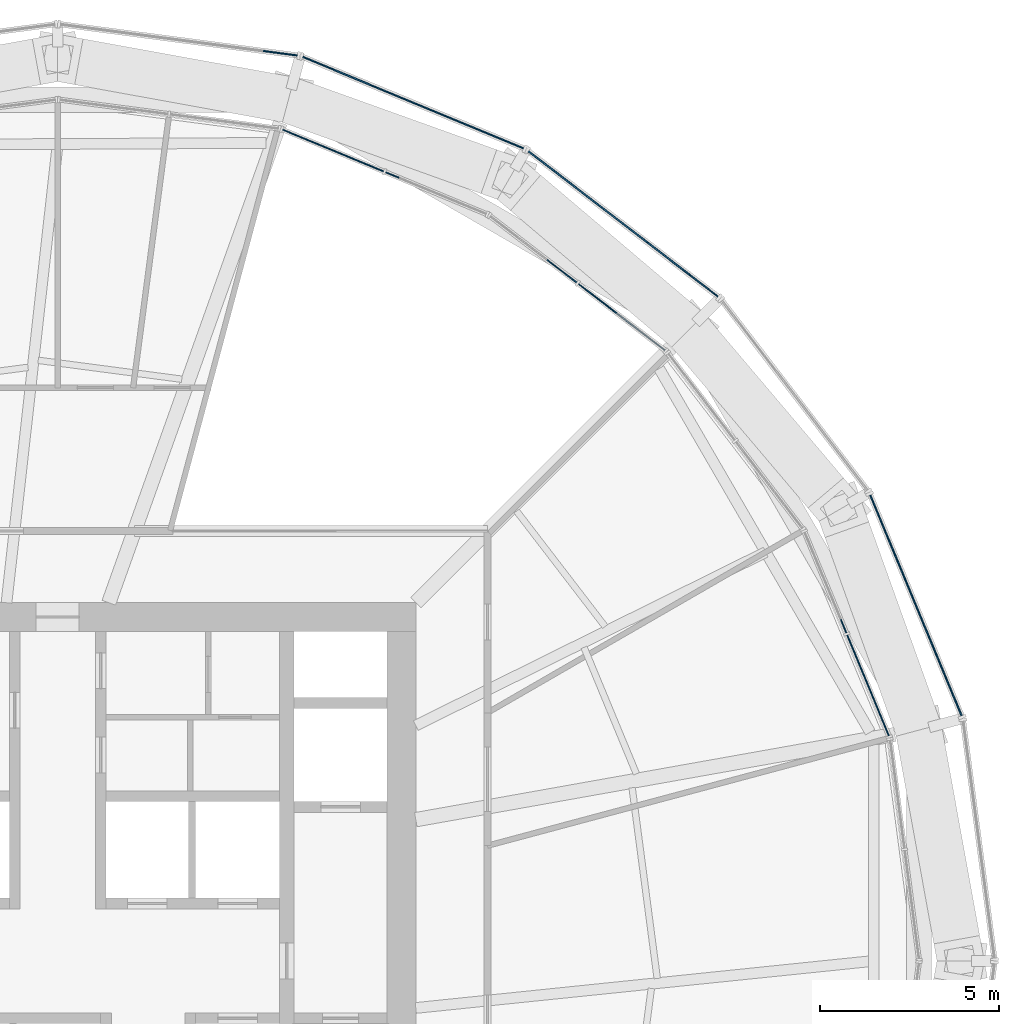
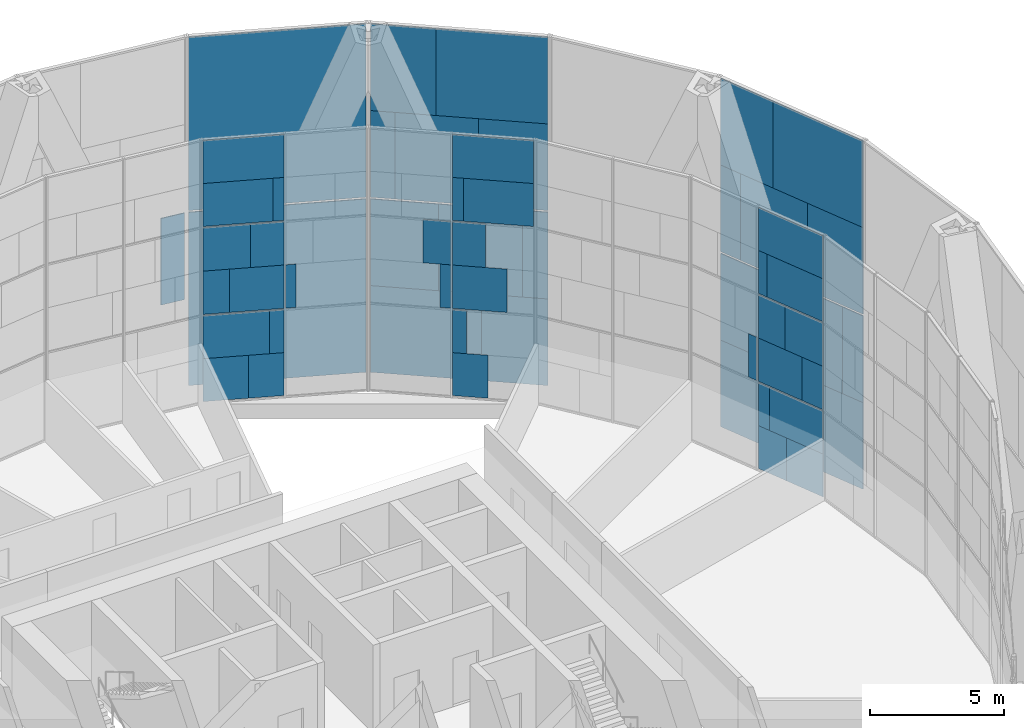
# One storey, part 22 of 26: 56 plates, 7 elements without a shape of their own.
"""IFC4 building model written with IfcOpenShell, lengths in metres."""

from ifc_helpers import new_model, si_unit, direction, frame, origin, origin_2d, place, context, subcontext, project, spatial, rectangle, extrude, material, layer, layer_set, type_object, element, aggregate, save


model = new_model("IFC4")

# Units and contexts
model_context = context("Model", 3, precision=1e-05, world=origin(), true_north=direction((0.0, 1.0)))
body_context = subcontext(model_context, "Body", "Model", "MODEL_VIEW")
ifc_project = project(units=[si_unit("LENGTHUNIT", "METRE"), si_unit("AREAUNIT", "SQUARE_METRE"), si_unit("VOLUMEUNIT", "CUBIC_METRE"), si_unit("PLANEANGLEUNIT", "RADIAN"), si_unit("MASSUNIT", "GRAM", prefix="KILO")], contexts=[model_context])

# Site, building, storey
site_placement = place(None, origin())
site = spatial("IfcSite", under=ifc_project, at=site_placement, CompositionType="ELEMENT")
building_placement = place(site_placement, origin())
building = spatial("IfcBuilding", under=site, at=building_placement, Name="Golbaran Civic Tower", CompositionType="ELEMENT")
storey_placement = place(building_placement, frame((0.0, 0.0, 69.0)))
storey = spatial("IfcBuildingStorey", under=building, at=storey_placement, Name="L16", CompositionType="ELEMENT", Elevation=69.0)

# Curtain wall, plates
ifc_material_1 = material(Name="Aluminium and glass", Category="aluminium")
curtain_wall_type_1 = type_object("IfcCurtainWallType", Name="INNER SKIN CURTAIN WALL", PredefinedType="NOTDEFINED", material=ifc_material_1)
curtain_wall_1_placement = place(storey_placement, origin())
curtain_wall_1 = element("IfcCurtainWall", 1, at=curtain_wall_1_placement, inside=storey, type_object=curtain_wall_type_1, Name="Inner skin L16 facet 2 CW1", ObjectType="INNER SKIN", PredefinedType="USERDEFINED")
ifc_material_2 = material(Name="Clear insulating glass", Category="glass")
ifc_layer_1 = layer(ifc_material_2, 0.031982421875, Name="Clear insulating glass")
ifc_layer_set_1 = layer_set([ifc_layer_1], Name="Clear insulating glass")
plate_type_1 = type_object("IfcPlateType", Name="INNER SKIN CURTAIN WALL GLAZED PANEL", PredefinedType="CURTAIN_PANEL", material=ifc_layer_set_1)
plate_1_placement = place(storey_placement, frame((22.298583984375, 8.48193359375, 0.06494140625), z_axis=(0.0, 0.0, 1.0), x_axis=(-0.382683432446, 0.923879532478, 0.0)))
plate_1 = element("IfcPlate", 2, at=plate_1_placement, type_object=plate_type_1, Name="CW1 panel 1.1 part 2", PredefinedType="CURTAIN_PANEL", context=body_context, shape_type="SweptSolid", body=[
    extrude(rectangle(XDim=1.3291015625, YDim=0.031982421875, at=origin_2d()), origin(), (0.0, 0.0, 1.0), 1.951171875),
])
plate_2_placement = place(storey_placement, frame((22.14599609375, 8.8505859375, 2.016357421875), z_axis=(0.0, 0.0, 1.0), x_axis=(-0.382683432446, 0.923879532478, 0.0)))
plate_2 = element("IfcPlate", 3, at=plate_2_placement, type_object=plate_type_1, Name="CW1 panel 1.1 part 4", PredefinedType="CURTAIN_PANEL", context=body_context, shape_type="SweptSolid", body=[
    extrude(rectangle(XDim=0.531005859375, YDim=0.031982421875, at=origin_2d()), origin(), (0.0, 0.0, 1.0), 1.951171875),
])
plate_3_placement = place(storey_placement, frame((23.018798828125, 6.74365234375, 4.03271484375), z_axis=(0.0, 0.0, 1.0), x_axis=(-0.382683432446, 0.923879532478, 0.0)))
plate_3 = element("IfcPlate", 4, at=plate_3_placement, type_object=plate_type_1, Name="CW1 panel 1.2 part 1", PredefinedType="CURTAIN_PANEL", context=body_context, shape_type="SweptSolid", body=[
    extrude(rectangle(XDim=0.991943359375, YDim=0.031982421875, at=origin_2d()), origin(), (0.0, 0.0, 1.0), 1.967529296875),
])
plate_4_placement = place(storey_placement, frame((22.8642578125, 7.116455078125, 6.0), z_axis=(0.0, 0.0, 1.0), x_axis=(-0.382683432446, 0.923879532478, 0.0)))
plate_4 = element("IfcPlate", 5, at=plate_4_placement, type_object=plate_type_1, Name="CW1 panel 1.2 part 3", PredefinedType="CURTAIN_PANEL", context=body_context, shape_type="SweptSolid", body=[
    extrude(rectangle(XDim=1.799072265625, YDim=0.031982421875, at=origin_2d()), origin(), (0.0, 0.0, 1.0), 1.967529296875),
])
plate_5_placement = place(storey_placement, frame((22.705078125, 7.500732421875, 8.032470703125), z_axis=(0.0, 0.0, 1.0), x_axis=(-0.382683432446, 0.923879532478, 0.0)))
plate_5 = element("IfcPlate", 6, at=plate_5_placement, type_object=plate_type_1, Name="CW1 panel 1.3 part 1", PredefinedType="CURTAIN_PANEL", context=body_context, shape_type="SweptSolid", body=[
    extrude(rectangle(XDim=2.631103515625, YDim=0.031982421875, at=origin_2d()), origin(), (0.0, 0.0, 1.0), 1.951171875),
])
plate_6_placement = place(storey_placement, frame((22.62646484375, 7.690673828125, 9.98388671875), z_axis=(0.0, 0.0, 1.0), x_axis=(-0.382683432446, 0.923879532478, 0.0)))
plate_6 = element("IfcPlate", 7, at=plate_6_placement, type_object=plate_type_1, Name="CW1 panel 1.3 part 3", PredefinedType="CURTAIN_PANEL", context=body_context, shape_type="SweptSolid", body=[
    extrude(rectangle(XDim=3.0419921875, YDim=0.031982421875, at=origin_2d()), origin(), (0.0, 0.0, 1.0), 1.951171875),
])

curtain_wall_2_placement = place(storey_placement, origin())
curtain_wall_2 = element("IfcCurtainWall", 8, at=curtain_wall_2_placement, inside=storey, type_object=curtain_wall_type_1, Name="Inner skin L16 facet 4 CW1", ObjectType="INNER SKIN", PredefinedType="USERDEFINED")
plate_7_placement = place(storey_placement, frame((15.0703125, 18.494873046875, 0.06494140625), z_axis=(0.0, 0.0, 1.0), x_axis=(-0.793353340323, 0.608761428967, 0.0)))
plate_7 = element("IfcPlate", 9, at=plate_7_placement, type_object=plate_type_1, Name="CW1 panel 1.1 part 2", PredefinedType="CURTAIN_PANEL", context=body_context, shape_type="SweptSolid", body=[
    extrude(rectangle(XDim=1.3291015625, YDim=0.031982421875, at=origin_2d()), origin(), (0.0, 0.0, 1.0), 1.951171875),
])
plate_8_placement = place(storey_placement, frame((14.753662109375, 18.73779296875, 2.016357421875), z_axis=(0.0, 0.0, 1.0), x_axis=(-0.793353340323, 0.608761428967, 0.0)))
plate_8 = element("IfcPlate", 10, at=plate_8_placement, type_object=plate_type_1, Name="CW1 panel 1.1 part 4", PredefinedType="CURTAIN_PANEL", context=body_context, shape_type="SweptSolid", body=[
    extrude(rectangle(XDim=0.531005859375, YDim=0.031982421875, at=origin_2d()), origin(), (0.0, 0.0, 1.0), 1.951171875),
])
plate_9_placement = place(storey_placement, frame((15.912841796875, 17.848388671875, 8.032470703125), z_axis=(0.0, 0.0, 1.0), x_axis=(-0.793353340323, 0.608761428967, 0.0)))
plate_9 = element("IfcPlate", 11, at=plate_9_placement, type_object=plate_type_1, Name="CW1 panel 1.3 part 1", PredefinedType="CURTAIN_PANEL", context=body_context, shape_type="SweptSolid", body=[
    extrude(rectangle(XDim=2.631103515625, YDim=0.031982421875, at=origin_2d()), origin(), (0.0, 0.0, 1.0), 1.951171875),
])
plate_10_placement = place(storey_placement, frame((15.749755859375, 17.9736328125, 9.98388671875), z_axis=(0.0, 0.0, 1.0), x_axis=(-0.793353340323, 0.608761428967, 0.0)))
plate_10 = element("IfcPlate", 12, at=plate_10_placement, type_object=plate_type_1, Name="CW1 panel 1.3 part 3", PredefinedType="CURTAIN_PANEL", context=body_context, shape_type="SweptSolid", body=[
    extrude(rectangle(XDim=3.0419921875, YDim=0.031982421875, at=origin_2d()), origin(), (0.0, 0.0, 1.0), 1.951171875),
])

curtain_wall_3_placement = place(storey_placement, origin())
curtain_wall_3 = element("IfcCurtainWall", 13, at=curtain_wall_3_placement, inside=storey, type_object=curtain_wall_type_1, Name="Inner skin L16 facet 5 CW1", ObjectType="INNER SKIN", PredefinedType="USERDEFINED")
plate_11_placement = place(storey_placement, frame((8.48193359375, 22.298583984375, 0.06494140625), z_axis=(0.0, 0.0, 1.0), x_axis=(-0.923879532478, 0.382683432446, 0.0)))
plate_11 = element("IfcPlate", 14, at=plate_11_placement, type_object=plate_type_1, Name="CW1 panel 2.1 part 1", PredefinedType="CURTAIN_PANEL", context=body_context, shape_type="SweptSolid", body=[
    extrude(rectangle(XDim=1.3291015625, YDim=0.031982421875, at=origin_2d()), origin(), (0.0, 0.0, 1.0), 1.951171875),
])
plate_12_placement = place(storey_placement, frame((8.8505859375, 22.14599609375, 2.016357421875), z_axis=(0.0, 0.0, 1.0), x_axis=(-0.923879532478, 0.382683432446, 0.0)))
plate_12 = element("IfcPlate", 15, at=plate_12_placement, type_object=plate_type_1, Name="CW1 panel 2.1 part 3", PredefinedType="CURTAIN_PANEL", context=body_context, shape_type="SweptSolid", body=[
    extrude(rectangle(XDim=0.531005859375, YDim=0.031982421875, at=origin_2d()), origin(), (0.0, 0.0, 1.0), 1.951171875),
])
plate_13_placement = place(storey_placement, frame((6.74365234375, 23.018798828125, 4.03271484375), z_axis=(0.0, 0.0, 1.0), x_axis=(-0.923879532478, 0.382683432446, 0.0)))
plate_13 = element("IfcPlate", 16, at=plate_13_placement, type_object=plate_type_1, Name="CW1 panel 2.2 part 2", PredefinedType="CURTAIN_PANEL", context=body_context, shape_type="SweptSolid", body=[
    extrude(rectangle(XDim=0.991943359375, YDim=0.031982421875, at=origin_2d()), origin(), (0.0, 0.0, 1.0), 1.967529296875),
])
plate_14_placement = place(storey_placement, frame((7.115966796875, 22.864501953125, 6.0), z_axis=(0.0, 0.0, 1.0), x_axis=(-0.923879532478, 0.382683432446, 0.0)))
plate_14 = element("IfcPlate", 17, at=plate_14_placement, type_object=plate_type_1, Name="CW1 panel 2.2 part 4", PredefinedType="CURTAIN_PANEL", context=body_context, shape_type="SweptSolid", body=[
    extrude(rectangle(XDim=1.798095703125, YDim=0.031982421875, at=origin_2d()), origin(), (0.0, 0.0, 1.0), 1.967529296875),
])
plate_15_placement = place(storey_placement, frame((7.500732421875, 22.705078125, 8.032470703125), z_axis=(0.0, 0.0, 1.0), x_axis=(-0.923879532478, 0.382683432446, 0.0)))
plate_15 = element("IfcPlate", 18, at=plate_15_placement, type_object=plate_type_1, Name="CW1 panel 2.3 part 2", PredefinedType="CURTAIN_PANEL", context=body_context, shape_type="SweptSolid", body=[
    extrude(rectangle(XDim=2.631103515625, YDim=0.031982421875, at=origin_2d()), origin(), (0.0, 0.0, 1.0), 1.951171875),
])
plate_16_placement = place(storey_placement, frame((7.690673828125, 22.62646484375, 9.98388671875), z_axis=(0.0, 0.0, 1.0), x_axis=(-0.923879532478, 0.382683432446, 0.0)))
plate_16 = element("IfcPlate", 19, at=plate_16_placement, type_object=plate_type_1, Name="CW1 panel 2.3 part 3", PredefinedType="CURTAIN_PANEL", context=body_context, shape_type="SweptSolid", body=[
    extrude(rectangle(XDim=3.0419921875, YDim=0.031982421875, at=origin_2d()), origin(), (0.0, 0.0, 1.0), 1.951171875),
])

# Plate
ifc_material_3 = material(Name="Aluminium faced opaque infill panel", Category="aluminium")
ifc_layer_2 = layer(ifc_material_3, 0.031982421875, Name="Aluminium faced opaque infill panel")
ifc_layer_set_2 = layer_set([ifc_layer_2], Name="Aluminium faced opaque infill panel")
plate_type_2 = type_object("IfcPlateType", Name="INNER SKIN CURTAIN WALL OPAQUE INFILL PANEL", PredefinedType="CURTAIN_PANEL", material=ifc_layer_set_2)
plate_17_placement = place(storey_placement, frame((22.880859375, 7.07666015625, 0.06494140625), z_axis=(0.0, 0.0, 1.0), x_axis=(-0.382683432446, 0.923879532478, 0.0)))
plate_17 = element("IfcPlate", 20, at=plate_17_placement, type_object=plate_type_2, Name="CW1 infill panel 1.1 part 1", PredefinedType="CURTAIN_PANEL", context=body_context, shape_type="SweptSolid", body=[
    extrude(rectangle(XDim=1.712890625, YDim=0.031982421875, at=origin_2d()), origin(), (0.0, 0.0, 1.0), 1.951171875),
])

plate_18_placement = place(storey_placement, frame((22.72802734375, 7.4453125, 2.016357421875), z_axis=(0.0, 0.0, 1.0), x_axis=(-0.382683432446, 0.923879532478, 0.0)))
plate_18 = element("IfcPlate", 21, at=plate_18_placement, type_object=plate_type_2, Name="CW1 infill panel 1.1 part 3", PredefinedType="CURTAIN_PANEL", context=body_context, shape_type="SweptSolid", body=[
    extrude(rectangle(XDim=2.510986328125, YDim=0.031982421875, at=origin_2d()), origin(), (0.0, 0.0, 1.0), 1.951171875),
])

plate_19_placement = place(storey_placement, frame((22.436767578125, 8.14892578125, 4.03271484375), z_axis=(0.0, 0.0, 1.0), x_axis=(-0.382683432446, 0.923879532478, 0.0)))
plate_19 = element("IfcPlate", 22, at=plate_19_placement, type_object=plate_type_2, Name="CW1 infill panel 1.2 part 2", PredefinedType="CURTAIN_PANEL", context=body_context, shape_type="SweptSolid", body=[
    extrude(rectangle(XDim=2.050048828125, YDim=0.031982421875, at=origin_2d()), origin(), (0.0, 0.0, 1.0), 1.967529296875),
])

plate_20_placement = place(storey_placement, frame((22.2822265625, 8.521728515625, 6.0), z_axis=(0.0, 0.0, 1.0), x_axis=(-0.382683432446, 0.923879532478, 0.0)))
plate_20 = element("IfcPlate", 23, at=plate_20_placement, type_object=plate_type_2, Name="CW1 infill panel 1.2 part 4", PredefinedType="CURTAIN_PANEL", context=body_context, shape_type="SweptSolid", body=[
    extrude(rectangle(XDim=1.2431640625, YDim=0.031982421875, at=origin_2d()), origin(), (0.0, 0.0, 1.0), 1.967529296875),
])

plate_21_placement = place(storey_placement, frame((22.123046875, 8.906005859375, 8.032470703125), z_axis=(0.0, 0.0, 1.0), x_axis=(-0.382683432446, 0.923879532478, 0.0)))
plate_21 = element("IfcPlate", 24, at=plate_21_placement, type_object=plate_type_2, Name="CW1 infill panel 1.3 part 2", PredefinedType="CURTAIN_PANEL", context=body_context, shape_type="SweptSolid", body=[
    extrude(rectangle(XDim=0.4111328125, YDim=0.031982421875, at=origin_2d()), origin(), (0.0, 0.0, 1.0), 1.951171875),
])

plate_22_placement = place(storey_placement, frame((21.94287109375, 9.34130859375, 4.03271484375), z_axis=(0.0, 0.0, 1.0), x_axis=(-0.382683432446, 0.923879532478, 0.0)))
plate_22 = element("IfcPlate", 25, at=plate_22_placement, type_object=plate_type_2, Name="CW1 infill panel 2.2 part 1", PredefinedType="CURTAIN_PANEL", context=body_context, shape_type="SweptSolid", body=[
    extrude(rectangle(XDim=0.40087890625, YDim=0.031982421875, at=origin_2d()), origin(), (0.0, 0.0, 1.0), 1.967529296875),
])

aggregate(curtain_wall_1, [plate_17, plate_1, plate_18, plate_2, plate_3, plate_19, plate_4, plate_20, plate_5, plate_21, plate_6, plate_22])

plate_23_placement = place(storey_placement, frame((15.356201171875, 18.275390625, 4.03271484375), z_axis=(0.0, 0.0, 1.0), x_axis=(-0.793353340323, 0.608761428967, 0.0)))
plate_23 = element("IfcPlate", 26, at=plate_23_placement, type_object=plate_type_2, Name="CW1 infill panel 1.2 part 2", PredefinedType="CURTAIN_PANEL", context=body_context, shape_type="SweptSolid", body=[
    extrude(rectangle(XDim=2.050048828125, YDim=0.031982421875, at=origin_2d()), origin(), (0.0, 0.0, 1.0), 1.967529296875),
])

plate_24_placement = place(storey_placement, frame((15.0361328125, 18.521240234375, 6.0), z_axis=(0.0, 0.0, 1.0), x_axis=(-0.793353340323, 0.608761428967, 0.0)))
plate_24 = element("IfcPlate", 27, at=plate_24_placement, type_object=plate_type_2, Name="CW1 infill panel 1.2 part 4", PredefinedType="CURTAIN_PANEL", context=body_context, shape_type="SweptSolid", body=[
    extrude(rectangle(XDim=1.2431640625, YDim=0.031982421875, at=origin_2d()), origin(), (0.0, 0.0, 1.0), 1.967529296875),
])

plate_25_placement = place(storey_placement, frame((14.7060546875, 18.7744140625, 8.032470703125), z_axis=(0.0, 0.0, 1.0), x_axis=(-0.793353340323, 0.608761428967, 0.0)))
plate_25 = element("IfcPlate", 28, at=plate_25_placement, type_object=plate_type_2, Name="CW1 infill panel 1.3 part 2", PredefinedType="CURTAIN_PANEL", context=body_context, shape_type="SweptSolid", body=[
    extrude(rectangle(XDim=0.4111328125, YDim=0.031982421875, at=origin_2d()), origin(), (0.0, 0.0, 1.0), 1.951171875),
])

plate_26_placement = place(storey_placement, frame((14.33251953125, 19.06103515625, 4.03271484375), z_axis=(0.0, 0.0, 1.0), x_axis=(-0.793353340323, 0.608761428967, 0.0)))
plate_26 = element("IfcPlate", 29, at=plate_26_placement, type_object=plate_type_2, Name="CW1 infill panel 2.2 part 1", PredefinedType="CURTAIN_PANEL", context=body_context, shape_type="SweptSolid", body=[
    extrude(rectangle(XDim=0.40087890625, YDim=0.031982421875, at=origin_2d()), origin(), (0.0, 0.0, 1.0), 1.967529296875),
])

plate_27_placement = place(storey_placement, frame((14.079345703125, 19.25537109375, 6.0), z_axis=(0.0, 0.0, 1.0), x_axis=(-0.793353340323, 0.608761428967, 0.0)))
plate_27 = element("IfcPlate", 30, at=plate_27_placement, type_object=plate_type_2, Name="CW1 infill panel 2.2 part 3", PredefinedType="CURTAIN_PANEL", context=body_context, shape_type="SweptSolid", body=[
    extrude(rectangle(XDim=1.0390625, YDim=0.031982421875, at=origin_2d()), origin(), (0.0, 0.0, 1.0), 1.967529296875),
])

aggregate(curtain_wall_2, [plate_7, plate_8, plate_23, plate_24, plate_9, plate_25, plate_10, plate_26, plate_27])

plate_28_placement = place(storey_placement, frame((9.34130859375, 21.94287109375, 4.03271484375), z_axis=(0.0, 0.0, 1.0), x_axis=(-0.923879532478, 0.382683432446, 0.0)))
plate_28 = element("IfcPlate", 31, at=plate_28_placement, type_object=plate_type_2, Name="CW1 infill panel 1.2 part 2", PredefinedType="CURTAIN_PANEL", context=body_context, shape_type="SweptSolid", body=[
    extrude(rectangle(XDim=0.401123046875, YDim=0.031982421875, at=origin_2d()), origin(), (0.0, 0.0, 1.0), 1.967529296875),
])

plate_29_placement = place(storey_placement, frame((7.07666015625, 22.880859375, 0.06494140625), z_axis=(0.0, 0.0, 1.0), x_axis=(-0.923879532478, 0.382683432446, 0.0)))
plate_29 = element("IfcPlate", 32, at=plate_29_placement, type_object=plate_type_2, Name="CW1 infill panel 2.1 part 2", PredefinedType="CURTAIN_PANEL", context=body_context, shape_type="SweptSolid", body=[
    extrude(rectangle(XDim=1.713134765625, YDim=0.031982421875, at=origin_2d()), origin(), (0.0, 0.0, 1.0), 1.951171875),
])

plate_30_placement = place(storey_placement, frame((7.4453125, 22.72802734375, 2.016357421875), z_axis=(0.0, 0.0, 1.0), x_axis=(-0.923879532478, 0.382683432446, 0.0)))
plate_30 = element("IfcPlate", 33, at=plate_30_placement, type_object=plate_type_2, Name="CW1 infill panel 2.1 part 4", PredefinedType="CURTAIN_PANEL", context=body_context, shape_type="SweptSolid", body=[
    extrude(rectangle(XDim=2.510986328125, YDim=0.031982421875, at=origin_2d()), origin(), (0.0, 0.0, 1.0), 1.951171875),
])

plate_31_placement = place(storey_placement, frame((8.14892578125, 22.436767578125, 4.03271484375), z_axis=(0.0, 0.0, 1.0), x_axis=(-0.923879532478, 0.382683432446, 0.0)))
plate_31 = element("IfcPlate", 34, at=plate_31_placement, type_object=plate_type_2, Name="CW1 infill panel 2.2 part 1", PredefinedType="CURTAIN_PANEL", context=body_context, shape_type="SweptSolid", body=[
    extrude(rectangle(XDim=2.050048828125, YDim=0.031982421875, at=origin_2d()), origin(), (0.0, 0.0, 1.0), 1.967529296875),
])

plate_32_placement = place(storey_placement, frame((8.521240234375, 22.282470703125, 6.0), z_axis=(0.0, 0.0, 1.0), x_axis=(-0.923879532478, 0.382683432446, 0.0)))
plate_32 = element("IfcPlate", 35, at=plate_32_placement, type_object=plate_type_2, Name="CW1 infill panel 2.2 part 3", PredefinedType="CURTAIN_PANEL", context=body_context, shape_type="SweptSolid", body=[
    extrude(rectangle(XDim=1.243896484375, YDim=0.031982421875, at=origin_2d()), origin(), (0.0, 0.0, 1.0), 1.967529296875),
])

plate_33_placement = place(storey_placement, frame((8.906005859375, 22.123046875, 8.032470703125), z_axis=(0.0, 0.0, 1.0), x_axis=(-0.923879532478, 0.382683432446, 0.0)))
plate_33 = element("IfcPlate", 36, at=plate_33_placement, type_object=plate_type_2, Name="CW1 infill panel 2.3 part 1", PredefinedType="CURTAIN_PANEL", context=body_context, shape_type="SweptSolid", body=[
    extrude(rectangle(XDim=0.410888671875, YDim=0.031982421875, at=origin_2d()), origin(), (0.0, 0.0, 1.0), 1.951171875),
])

aggregate(curtain_wall_3, [plate_28, plate_11, plate_29, plate_12, plate_30, plate_31, plate_13, plate_32, plate_14, plate_33, plate_15, plate_16])

# Curtain wall, plates
curtain_wall_type_2 = type_object("IfcCurtainWallType", Name="OUTER SKIN TERRACOTTA SCREEN", PredefinedType="NOTDEFINED", material=ifc_material_1)
curtain_wall_4_placement = place(storey_placement, origin())
curtain_wall_4 = element("IfcCurtainWall", 37, at=curtain_wall_4_placement, inside=storey, type_object=curtain_wall_type_2, Name="Outer skin L16 facet 2 CW3", ObjectType="OUTER SKIN", PredefinedType="USERDEFINED")
ifc_material_4 = material(Name="Clear laminated glass", Category="glass")
ifc_layer_3 = layer(ifc_material_4, 0.0400390625, Name="Clear laminated glass")
ifc_layer_set_3 = layer_set([ifc_layer_3], Name="Clear laminated glass")
plate_type_3 = type_object("IfcPlateType", Name="OUTER SKIN CLEAR GLASS PANEL", PredefinedType="CURTAIN_PANEL", material=ifc_layer_set_3)
plate_34_placement = place(storey_placement, frame((23.48681640625, 11.074951171875, -0.6298828125), z_axis=(0.0, 0.0, 1.0), x_axis=(-0.382683432478, 0.923879532465, 0.0)))
plate_34 = element("IfcPlate", 38, at=plate_34_placement, type_object=plate_type_3, Name="CW3 panel 1.1 part 2", PredefinedType="CURTAIN_PANEL", context=body_context, shape_type="SweptSolid", body=[
    extrude(rectangle(XDim=4.181396484375, YDim=0.0400390625, at=origin_2d()), origin(), (0.0, 0.0, 1.0), 3.93994140625),
])
plate_35_placement = place(storey_placement, frame((25.05615234375, 7.2861328125, 3.31005859375), z_axis=(0.0, 0.0, 1.0), x_axis=(-0.382683432478, 0.923879532465, 0.0)))
plate_35 = element("IfcPlate", 39, at=plate_35_placement, type_object=plate_type_3, Name="CW3 panel 1.1 part 3", PredefinedType="CURTAIN_PANEL", context=body_context, shape_type="SweptSolid", body=[
    extrude(rectangle(XDim=0.955078125, YDim=0.0400390625, at=origin_2d()), origin(), (0.0, 0.0, 1.0), 3.93994140625),
])
plate_36_placement = place(storey_placement, frame((23.177978515625, 11.820556640625, 3.31005859375), z_axis=(0.0, 0.0, 1.0), x_axis=(-0.382683432478, 0.923879532465, 0.0)))
plate_36 = element("IfcPlate", 40, at=plate_36_placement, type_object=plate_type_3, Name="CW3 panel 1.1 part 5", PredefinedType="CURTAIN_PANEL", context=body_context, shape_type="SweptSolid", body=[
    extrude(rectangle(XDim=2.5673828125, YDim=0.0400390625, at=origin_2d()), origin(), (0.0, 0.0, 1.0), 3.93994140625),
])
plate_37_placement = place(storey_placement, frame((24.741943359375, 8.044921875, 7.330078125), z_axis=(0.0, 0.0, 1.0), x_axis=(-0.382683432478, 0.923879532465, 0.0)))
plate_37 = element("IfcPlate", 41, at=plate_37_placement, type_object=plate_type_3, Name="CW3 panel 1.2 part 1", PredefinedType="CURTAIN_PANEL", context=body_context, shape_type="SweptSolid", body=[
    extrude(rectangle(XDim=2.597900390625, YDim=0.0400390625, at=origin_2d()), origin(), (0.0, 0.0, 1.0), 3.93994140625),
])
plate_38_placement = place(storey_placement, frame((22.86279296875, 12.58154296875, 7.330078125), z_axis=(0.0, 0.0, 1.0), x_axis=(-0.382683432478, 0.923879532465, 0.0)))
plate_38 = element("IfcPlate", 42, at=plate_38_placement, type_object=plate_type_3, Name="CW3 panel 1.2 part 3", PredefinedType="CURTAIN_PANEL", context=body_context, shape_type="SweptSolid", body=[
    extrude(rectangle(XDim=0.92041015625, YDim=0.0400390625, at=origin_2d()), origin(), (0.0, 0.0, 1.0), 3.93994140625),
])
plate_39_placement = place(storey_placement, frame((24.43359375, 8.7890625, 11.27001953125), z_axis=(0.0, 0.0, 1.0), x_axis=(-0.382683432478, 0.923879532465, 0.0)))
plate_39 = element("IfcPlate", 43, at=plate_39_placement, type_object=plate_type_3, Name="CW3 panel 1.2 part 4", PredefinedType="CURTAIN_PANEL", context=body_context, shape_type="SweptSolid", body=[
    extrude(rectangle(XDim=4.208984375, YDim=0.0400390625, at=origin_2d()), origin(), (0.0, 0.0, 1.0), 3.93994140625),
])

curtain_wall_5_placement = place(storey_placement, origin())
curtain_wall_5 = element("IfcCurtainWall", 44, at=curtain_wall_5_placement, inside=storey, type_object=curtain_wall_type_2, Name="Outer skin L16 facet 4 CW3", ObjectType="OUTER SKIN", PredefinedType="USERDEFINED")
plate_40_placement = place(storey_placement, frame((14.802734375, 21.334716796875, -0.6298828125), z_axis=(0.0, 0.0, 1.0), x_axis=(-0.793353340366, 0.608761428912, 0.0)))
plate_40 = element("IfcPlate", 45, at=plate_40_placement, type_object=plate_type_3, Name="CW3 panel 1.1 part 2", PredefinedType="CURTAIN_PANEL", context=body_context, shape_type="SweptSolid", body=[
    extrude(rectangle(XDim=4.181396484375, YDim=0.0400390625, at=origin_2d()), origin(), (0.0, 0.0, 1.0), 3.93994140625),
])
plate_41_placement = place(storey_placement, frame((18.056396484375, 18.837890625, 3.31005859375), z_axis=(0.0, 0.0, 1.0), x_axis=(-0.793353340366, 0.608761428912, 0.0)))
plate_41 = element("IfcPlate", 46, at=plate_41_placement, type_object=plate_type_3, Name="CW3 panel 1.1 part 3", PredefinedType="CURTAIN_PANEL", context=body_context, shape_type="SweptSolid", body=[
    extrude(rectangle(XDim=0.955078125, YDim=0.0400390625, at=origin_2d()), origin(), (0.0, 0.0, 1.0), 3.93994140625),
])
plate_42_placement = place(storey_placement, frame((14.162353515625, 21.825927734375, 3.31005859375), z_axis=(0.0, 0.0, 1.0), x_axis=(-0.793353340366, 0.608761428912, 0.0)))
plate_42 = element("IfcPlate", 47, at=plate_42_placement, type_object=plate_type_3, Name="CW3 panel 1.1 part 5", PredefinedType="CURTAIN_PANEL", context=body_context, shape_type="SweptSolid", body=[
    extrude(rectangle(XDim=2.5673828125, YDim=0.0400390625, at=origin_2d()), origin(), (0.0, 0.0, 1.0), 3.93994140625),
])
plate_43_placement = place(storey_placement, frame((17.404541015625, 19.338134765625, 7.330078125), z_axis=(0.0, 0.0, 1.0), x_axis=(-0.793353340366, 0.608761428912, 0.0)))
plate_43 = element("IfcPlate", 48, at=plate_43_placement, type_object=plate_type_3, Name="CW3 panel 1.2 part 1", PredefinedType="CURTAIN_PANEL", context=body_context, shape_type="SweptSolid", body=[
    extrude(rectangle(XDim=2.597900390625, YDim=0.0400390625, at=origin_2d()), origin(), (0.0, 0.0, 1.0), 3.93994140625),
])
plate_44_placement = place(storey_placement, frame((13.509033203125, 22.3271484375, 7.330078125), z_axis=(0.0, 0.0, 1.0), x_axis=(-0.793353340366, 0.608761428912, 0.0)))
plate_44 = element("IfcPlate", 49, at=plate_44_placement, type_object=plate_type_3, Name="CW3 panel 1.2 part 3", PredefinedType="CURTAIN_PANEL", context=body_context, shape_type="SweptSolid", body=[
    extrude(rectangle(XDim=0.92041015625, YDim=0.0400390625, at=origin_2d()), origin(), (0.0, 0.0, 1.0), 3.93994140625),
])
plate_45_placement = place(storey_placement, frame((16.765625, 19.828369140625, 11.27001953125), z_axis=(0.0, 0.0, 1.0), x_axis=(-0.793353340366, 0.608761428912, 0.0)))
plate_45 = element("IfcPlate", 50, at=plate_45_placement, type_object=plate_type_3, Name="CW3 panel 1.2 part 4", PredefinedType="CURTAIN_PANEL", context=body_context, shape_type="SweptSolid", body=[
    extrude(rectangle(XDim=4.208984375, YDim=0.0400390625, at=origin_2d()), origin(), (0.0, 0.0, 1.0), 3.93994140625),
])

# Curtain wall, plate
curtain_wall_6_placement = place(storey_placement, origin())
curtain_wall_6 = element("IfcCurtainWall", 51, at=curtain_wall_6_placement, inside=storey, type_object=curtain_wall_type_2, Name="Outer skin L16 facet 6 CW3", ObjectType="OUTER SKIN", PredefinedType="USERDEFINED")
plate_46_placement = place(storey_placement, frame((6.21826171875, 25.34228515625, 3.31005859375), z_axis=(0.0, 0.0, 1.0), x_axis=(-0.991444861383, 0.130526192151, 0.0)))
plate_46 = element("IfcPlate", 52, at=plate_46_placement, type_object=plate_type_3, Name="CW3 panel 1.1 part 3", PredefinedType="CURTAIN_PANEL", context=body_context, shape_type="SweptSolid", body=[
    extrude(rectangle(XDim=0.955078125, YDim=0.0400390625, at=origin_2d()), origin(), (0.0, 0.0, 1.0), 3.93994140625),
])
aggregate(curtain_wall_6, [plate_46])

# Plate
ifc_material_5 = material(Name="Terracotta baguette screen", Category="masonry")
ifc_layer_4 = layer(ifc_material_5, 0.0400390625, Name="Terracotta baguette screen")
ifc_layer_set_4 = layer_set([ifc_layer_4], Name="Terracotta baguette screen")
plate_type_4 = type_object("IfcPlateType", Name="OUTER SKIN TERRACOTTA INFILL PANEL", PredefinedType="CURTAIN_PANEL", material=ifc_layer_set_4)
plate_47_placement = place(storey_placement, frame((24.762939453125, 7.994140625, -0.6298828125), z_axis=(0.0, 0.0, 1.0), x_axis=(-0.382683432478, 0.923879532465, 0.0)))
plate_47 = element("IfcPlate", 53, at=plate_47_placement, type_object=plate_type_4, Name="CW3 infill panel 1.1 part 1", PredefinedType="CURTAIN_PANEL", context=body_context, shape_type="SweptSolid", body=[
    extrude(rectangle(XDim=2.488037109375, YDim=0.0400390625, at=origin_2d()), origin(), (0.0, 0.0, 1.0), 3.93994140625),
])

plate_48_placement = place(storey_placement, frame((24.271240234375, 9.180908203125, 3.31005859375), z_axis=(0.0, 0.0, 1.0), x_axis=(-0.382683432478, 0.923879532465, 0.0)))
plate_48 = element("IfcPlate", 54, at=plate_48_placement, type_object=plate_type_4, Name="CW3 infill panel 1.1 part 4", PredefinedType="CURTAIN_PANEL", context=body_context, shape_type="SweptSolid", body=[
    extrude(rectangle(XDim=3.14697265625, YDim=0.0400390625, at=origin_2d()), origin(), (0.0, 0.0, 1.0), 3.93994140625),
])

plate_49_placement = place(storey_placement, frame((23.641845703125, 10.70068359375, 7.330078125), z_axis=(0.0, 0.0, 1.0), x_axis=(-0.382683432478, 0.923879532465, 0.0)))
plate_49 = element("IfcPlate", 55, at=plate_49_placement, type_object=plate_type_4, Name="CW3 infill panel 1.2 part 2", PredefinedType="CURTAIN_PANEL", context=body_context, shape_type="SweptSolid", body=[
    extrude(rectangle(XDim=3.15087890625, YDim=0.0400390625, at=origin_2d()), origin(), (0.0, 0.0, 1.0), 3.93994140625),
])

plate_50_placement = place(storey_placement, frame((23.157470703125, 11.8701171875, 11.27001953125), z_axis=(0.0, 0.0, 1.0), x_axis=(-0.382683432478, 0.923879532465, 0.0)))
plate_50 = element("IfcPlate", 56, at=plate_50_placement, type_object=plate_type_4, Name="CW3 infill panel 1.2 part 5", PredefinedType="CURTAIN_PANEL", context=body_context, shape_type="SweptSolid", body=[
    extrude(rectangle(XDim=2.46044921875, YDim=0.0400390625, at=origin_2d()), origin(), (0.0, 0.0, 1.0), 3.93994140625),
])

aggregate(curtain_wall_4, [plate_47, plate_34, plate_35, plate_48, plate_36, plate_37, plate_49, plate_38, plate_39, plate_50])

plate_51_placement = place(storey_placement, frame((17.4482421875, 19.3046875, -0.6298828125), z_axis=(0.0, 0.0, 1.0), x_axis=(-0.793353340366, 0.608761428912, 0.0)))
plate_51 = element("IfcPlate", 57, at=plate_51_placement, type_object=plate_type_4, Name="CW3 infill panel 1.1 part 1", PredefinedType="CURTAIN_PANEL", context=body_context, shape_type="SweptSolid", body=[
    extrude(rectangle(XDim=2.488037109375, YDim=0.0400390625, at=origin_2d()), origin(), (0.0, 0.0, 1.0), 3.93994140625),
])

plate_52_placement = place(storey_placement, frame((16.42919921875, 20.086669921875, 3.31005859375), z_axis=(0.0, 0.0, 1.0), x_axis=(-0.793353340366, 0.608761428912, 0.0)))
plate_52 = element("IfcPlate", 58, at=plate_52_placement, type_object=plate_type_4, Name="CW3 infill panel 1.1 part 4", PredefinedType="CURTAIN_PANEL", context=body_context, shape_type="SweptSolid", body=[
    extrude(rectangle(XDim=3.14697265625, YDim=0.0400390625, at=origin_2d()), origin(), (0.0, 0.0, 1.0), 3.93994140625),
])

plate_53_placement = place(storey_placement, frame((15.1240234375, 21.087890625, 7.330078125), z_axis=(0.0, 0.0, 1.0), x_axis=(-0.793353340366, 0.608761428912, 0.0)))
plate_53 = element("IfcPlate", 59, at=plate_53_placement, type_object=plate_type_4, Name="CW3 infill panel 1.2 part 2", PredefinedType="CURTAIN_PANEL", context=body_context, shape_type="SweptSolid", body=[
    extrude(rectangle(XDim=3.15087890625, YDim=0.0400390625, at=origin_2d()), origin(), (0.0, 0.0, 1.0), 3.93994140625),
])

plate_54_placement = place(storey_placement, frame((14.119873046875, 21.8583984375, 11.27001953125), z_axis=(0.0, 0.0, 1.0), x_axis=(-0.793353340366, 0.608761428912, 0.0)))
plate_54 = element("IfcPlate", 60, at=plate_54_placement, type_object=plate_type_4, Name="CW3 infill panel 1.2 part 5", PredefinedType="CURTAIN_PANEL", context=body_context, shape_type="SweptSolid", body=[
    extrude(rectangle(XDim=2.46044921875, YDim=0.0400390625, at=origin_2d()), origin(), (0.0, 0.0, 1.0), 3.93994140625),
])

aggregate(curtain_wall_5, [plate_51, plate_40, plate_41, plate_52, plate_42, plate_43, plate_53, plate_44, plate_45, plate_54])

# Curtain wall, plates
curtain_wall_7_placement = place(storey_placement, origin())
curtain_wall_7 = element("IfcCurtainWall", 61, at=curtain_wall_7_placement, inside=storey, type_object=curtain_wall_type_2, Name="Outer skin L16 facet 5 CW3", ObjectType="OUTER SKIN", PredefinedType="USERDEFINED")
ifc_layer_5 = layer(ifc_material_5, 0.0400390625, Name="Terracotta baguette screen")
ifc_layer_set_5 = layer_set([ifc_layer_5], Name="Terracotta baguette screen")
plate_type_5 = type_object("IfcPlateType", Name="OUTER SKIN TERRACOTTA SCREEN PANEL", PredefinedType="CURTAIN_PANEL", material=ifc_layer_set_5)
plate_55_placement = place(storey_placement, frame((9.92578125, 23.962890625, -0.6298828125), z_axis=(0.0, 0.0, 1.0), x_axis=(-0.923879532465, 0.382683432478, 0.0)))
plate_55 = element("IfcPlate", 62, at=plate_55_placement, type_object=plate_type_5, Name="CW3 terracotta screen panel 1.1", PredefinedType="CURTAIN_PANEL", context=body_context, shape_type="SweptSolid", body=[
    extrude(rectangle(XDim=6.66943359375, YDim=0.0400390625, at=origin_2d()), origin(), (0.0, 0.0, 1.0), 7.8798828125),
])
plate_56_placement = place(storey_placement, frame((9.92578125, 23.962890625, 7.330078125), z_axis=(0.0, 0.0, 1.0), x_axis=(-0.923879532465, 0.382683432478, 0.0)))
plate_56 = element("IfcPlate", 63, at=plate_56_placement, type_object=plate_type_5, Name="CW3 terracotta screen panel 1.2", PredefinedType="CURTAIN_PANEL", context=body_context, shape_type="SweptSolid", body=[
    extrude(rectangle(XDim=6.66943359375, YDim=0.0400390625, at=origin_2d()), origin(), (0.0, 0.0, 1.0), 7.8798828125),
])
aggregate(curtain_wall_7, [plate_55, plate_56])

save(model, "model.ifc")
